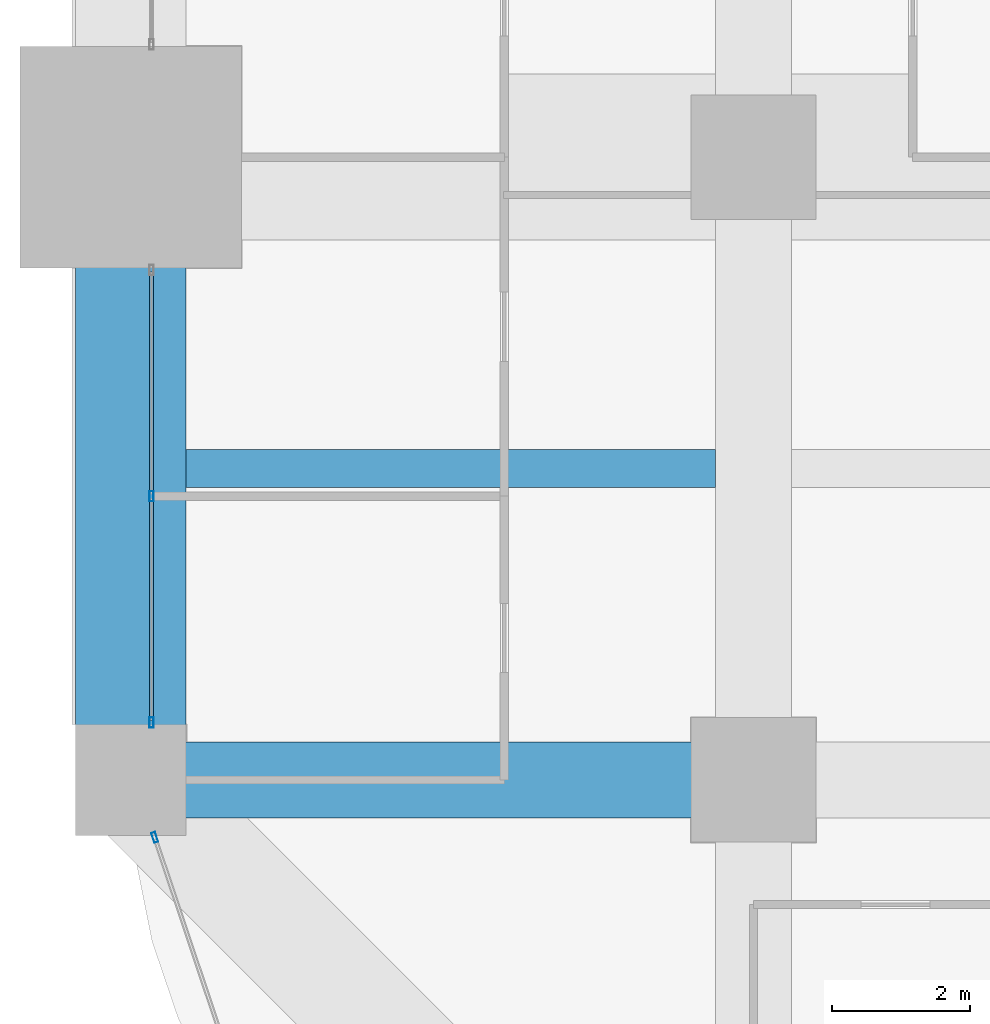
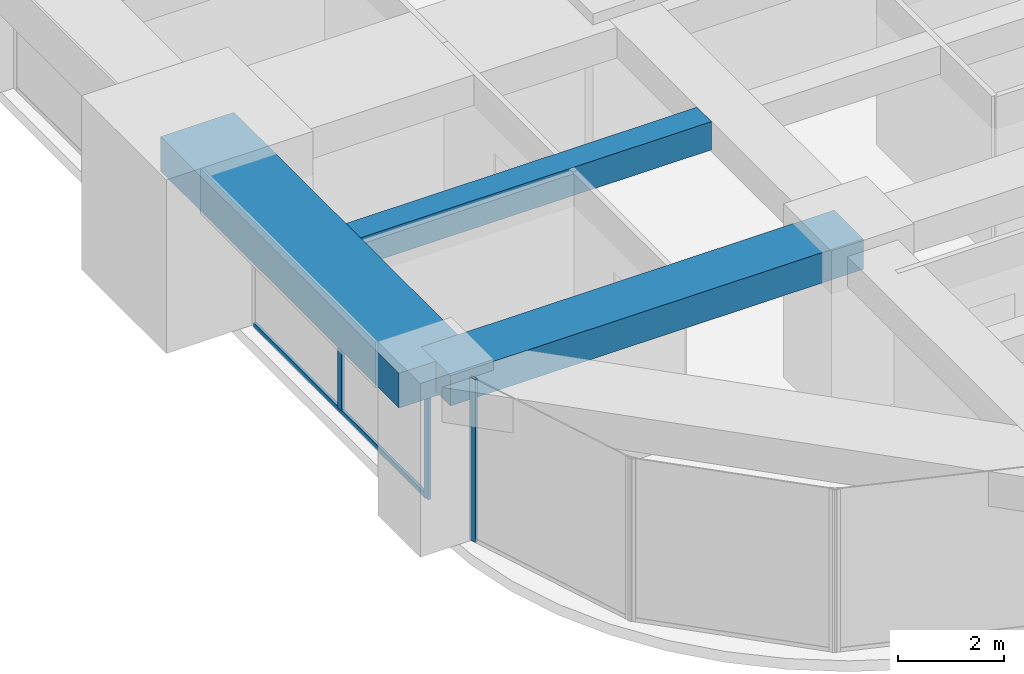
# One storey, part 4 of 36: 4 members, 3 beams, 2 elements without a shape of their own.
"""IFC4 building model written with IfcOpenShell, lengths in metres."""

from ifc_helpers import new_model, si_unit, direction, frame, origin, origin_2d, place, context, subcontext, project, spatial, rectangle, hollow_rectangle, extrude, material, material_profile, profile_set, type_object, element, aggregate, save


model = new_model("IFC4")

# Units and contexts
model_context = context("Model", 3, precision=1e-05, world=origin(), true_north=direction((0.0, 1.0)))
body_context = subcontext(model_context, "Body", "Model", "MODEL_VIEW")
ifc_project = project(units=[si_unit("LENGTHUNIT", "METRE"), si_unit("AREAUNIT", "SQUARE_METRE"), si_unit("VOLUMEUNIT", "CUBIC_METRE"), si_unit("PLANEANGLEUNIT", "RADIAN"), si_unit("MASSUNIT", "GRAM", prefix="KILO")], contexts=[model_context])

# Site, building, storey
site_placement = place(None, origin())
site = spatial("IfcSite", under=ifc_project, at=site_placement, CompositionType="ELEMENT")
building_placement = place(site_placement, origin())
building = spatial("IfcBuilding", under=site, at=building_placement, Name="Zorevar Civic Tower", CompositionType="ELEMENT")
storey_placement = place(building_placement, frame((0.0, 0.0, 166.199951171875)))
storey = spatial("IfcBuildingStorey", under=building, at=storey_placement, Name="L40", CompositionType="ELEMENT", Elevation=166.199951171875)

# Beams
ifc_material_1 = material(Name="Concrete C50/60", Category="concrete")
ifc_material_profile_1 = material_profile(ifc_material_1, rectangle(XDim=1.10009765625, YDim=0.699951171875, at=origin_2d()), Name="RC 1100x700")
ifc_profile_set_1 = profile_set([ifc_material_profile_1], Name="Concrete C50/60")
beam_type_1 = type_object("IfcBeamType", Name="Beam RC 1100x700", PredefinedType="BEAM", material=ifc_profile_set_1)
beam_1_placement = place(storey_placement, frame((0.0, 9.0, 3.400146484375), z_axis=(1.0, 0.0, 0.0), x_axis=(0.0, 1.0, 0.0)))
element("IfcBeam", 1, at=beam_1_placement, inside=storey, type_object=beam_type_1, Name="Girder L41", PredefinedType="BEAM", context=body_context, shape_type="SweptSolid", body=[
    extrude(rectangle(XDim=1.10009765625, YDim=0.699951171875, at=origin_2d()), origin(), (0.0, 0.0, 1.0), 9.0),
])
ifc_material_2 = material(Name="Concrete C50/60", Category="concrete")
ifc_material_profile_2 = material_profile(ifc_material_2, rectangle(XDim=0.550048828125, YDim=0.64990234375, at=origin_2d()), Name="RC 550x650")
ifc_profile_set_2 = profile_set([ifc_material_profile_2], Name="Concrete C50/60")
beam_type_2 = type_object("IfcBeamType", Name="Beam RC 550x650", PredefinedType="BEAM", material=ifc_profile_set_2)
beam_2_placement = place(storey_placement, frame((0.800048828125, 13.5, 3.425048828125), z_axis=(1.0, 0.0, 0.0), x_axis=(0.0, 1.0, 0.0)))
element("IfcBeam", 2, at=beam_2_placement, inside=storey, type_object=beam_type_2, Name="Secondary beam L41", PredefinedType="BEAM", context=body_context, shape_type="SweptSolid", body=[
    extrude(rectangle(XDim=0.550048828125, YDim=0.64990234375, at=origin_2d()), origin(), (0.0, 0.0, 1.0), 7.64990234375),
])

# Curtain wall, members
ifc_material_3 = material(Name="Dark grey solar-control glass in black aluminium frame", Category="aluminium")
curtain_wall_type = type_object("IfcCurtainWallType", Name="Curtain wall CW4 high zone", PredefinedType="NOTDEFINED", material=ifc_material_3)
curtain_wall_1_placement = place(storey_placement, origin())
curtain_wall_1 = element("IfcCurtainWall", 3, at=curtain_wall_1_placement, inside=storey, type_object=curtain_wall_type, Name="CW4 L40", PredefinedType="NOTDEFINED")
ifc_material_4 = material(Name="Aluminium, black anodised", Category="aluminium")
ifc_material_profile_3 = material_profile(ifc_material_4, hollow_rectangle(XDim=0.06005859375, YDim=0.14990234375, WallThickness=0.00390625, at=origin_2d()), Name="AL 150x60x4")
ifc_profile_set_3 = profile_set([ifc_material_profile_3], Name="Aluminium, black anodised")
member_type_1 = type_object("IfcMemberType", Name="CW4 mullion AL 150x60x4", PredefinedType="MULLION", material=ifc_profile_set_3)
member_1_placement = place(storey_placement, frame((0.300048828125, 9.830078125, 0.0), z_axis=(0.0, 0.0, 1.0), x_axis=(-1.0, 0.0, 0.0)))
member_1 = element("IfcMember", 4, at=member_1_placement, type_object=member_type_1, Name="CW4 mullion 1", PredefinedType="MULLION", context=body_context, shape_type="SweptSolid", body=[
    extrude(hollow_rectangle(XDim=0.06005859375, YDim=0.14990234375, WallThickness=0.00390625, at=origin_2d()), origin(), (0.0, 0.0, 1.0), 2.949951171875),
])
member_2_placement = place(storey_placement, frame((0.300048828125, 13.10009765625, 0.06005859375), z_axis=(0.0, 0.0, 1.0), x_axis=(-1.0, 0.0, 0.0)))
member_2 = element("IfcMember", 5, at=member_2_placement, type_object=member_type_1, Name="CW4 mullion 2", PredefinedType="MULLION", context=body_context, shape_type="SweptSolid", body=[
    extrude(hollow_rectangle(XDim=0.06005859375, YDim=0.14990234375, WallThickness=0.00390625, at=origin_2d()), origin(), (0.0, 0.0, 1.0), 2.889892578125),
])

# Curtain wall, member
curtain_wall_2_placement = place(storey_placement, origin())
curtain_wall_2 = element("IfcCurtainWall", 6, at=curtain_wall_2_placement, inside=storey, type_object=curtain_wall_type, Name="CW4 L40", PredefinedType="NOTDEFINED")
member_3_placement = place(storey_placement, frame((0.346435546875, 8.171630859375, 0.0), z_axis=(0.0, 0.0, 1.0), x_axis=(0.948227238701, 0.317592669603, 0.0)))
member_3 = element("IfcMember", 7, at=member_3_placement, type_object=member_type_1, Name="CW4 mullion 1", PredefinedType="MULLION", context=body_context, shape_type="SweptSolid", body=[
    extrude(hollow_rectangle(XDim=0.06005859375, YDim=0.14990234375, WallThickness=0.00390625, at=origin_2d()), origin(), (0.0, 0.0, 1.0), 3.75),
])
aggregate(curtain_wall_2, [member_3])

# Member
ifc_material_5 = material(Name="Aluminium, black anodised", Category="aluminium")
ifc_material_profile_4 = material_profile(ifc_material_5, hollow_rectangle(XDim=0.06005859375, YDim=0.1201171875, WallThickness=0.0029296875, at=origin_2d()), Name="AL 120x60x3")
ifc_profile_set_4 = profile_set([ifc_material_profile_4], Name="Aluminium, black anodised")
member_type_2 = type_object("IfcMemberType", Name="CW4 transom AL 120x60x3", PredefinedType="USERDEFINED", material=ifc_profile_set_4)
member_4_placement = place(storey_placement, frame((0.300048828125, 9.860107421875, 0.030029296875), z_axis=(0.0, 1.0, 0.0), x_axis=(-1.0, 0.0, 0.0)))
member_4 = element("IfcMember", 8, at=member_4_placement, type_object=member_type_2, Name="CW4 sill transom", ObjectType="TRANSOM", PredefinedType="USERDEFINED", context=body_context, shape_type="SweptSolid", body=[
    extrude(hollow_rectangle(XDim=0.06005859375, YDim=0.1201171875, WallThickness=0.0029296875, at=origin_2d()), origin(), (0.0, 0.0, 1.0), 6.47998046875),
])

aggregate(curtain_wall_1, [member_1, member_2, member_4])

# Beam
ifc_material_6 = material(Name="Concrete C50/60", Category="concrete")
ifc_material_profile_5 = material_profile(ifc_material_6, rectangle(XDim=1.60009765625, YDim=0.800048828125, at=origin_2d()), Name="RC 1600x800")
ifc_profile_set_5 = profile_set([ifc_material_profile_5], Name="Concrete C50/60")
beam_type_3 = type_object("IfcBeamType", Name="Edge beam RC 1600x800", PredefinedType="SPANDREL", material=ifc_profile_set_5)
beam_3_placement = place(storey_placement, frame((0.0, 9.0, 3.35009765625), z_axis=(0.0, 1.0, 0.0), x_axis=(-1.0, 0.0, 0.0)))
element("IfcBeam", 9, at=beam_3_placement, inside=storey, type_object=beam_type_3, Name="Edge beam L41", PredefinedType="SPANDREL", context=body_context, shape_type="SweptSolid", body=[
    extrude(rectangle(XDim=1.60009765625, YDim=0.800048828125, at=origin_2d()), origin(), (0.0, 0.0, 1.0), 9.0),
])

save(model, "model.ifc")
